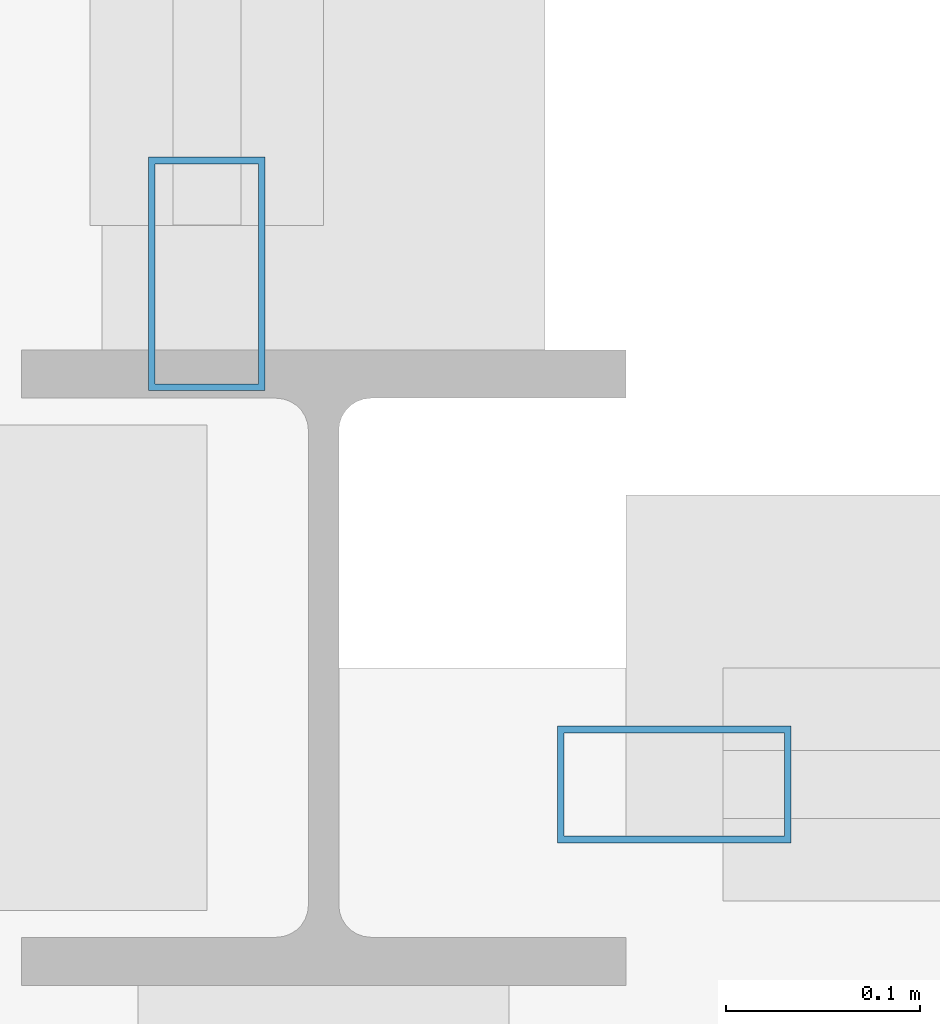
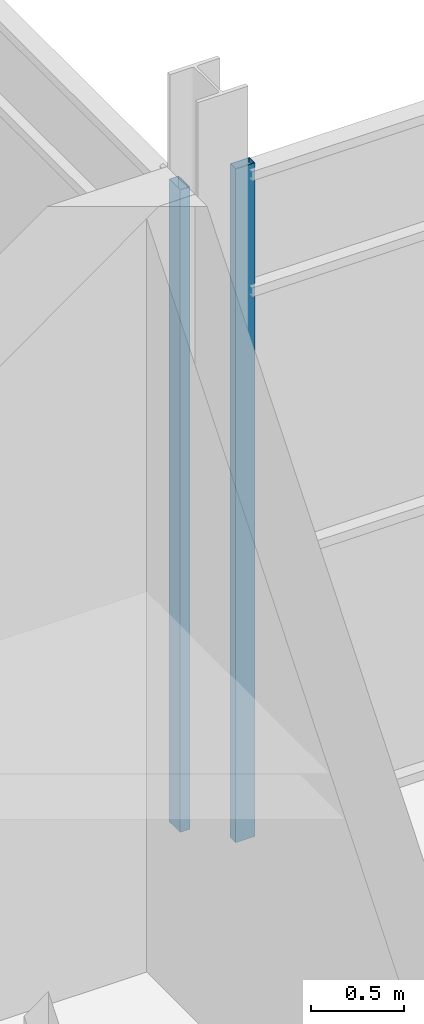
# One storey, part 18 of 112: 2 members, 2 elements without a shape of their own.
"""IFC4 building model written with IfcOpenShell, lengths in metres."""

from ifc_helpers import new_model, si_unit, direction, frame, origin, origin_2d, place, context, subcontext, project, spatial, hollow_rectangle, extrude, material, layer, layer_set, material_profile, profile_set, type_object, element, aggregate, save


model = new_model("IFC4")

# Units and contexts
model_context = context("Model", 3, precision=1e-05, world=origin(), true_north=direction((0.0, 1.0)))
body_context = subcontext(model_context, "Body", "Model", "MODEL_VIEW")
ifc_project = project(units=[si_unit("LENGTHUNIT", "METRE"), si_unit("AREAUNIT", "SQUARE_METRE"), si_unit("VOLUMEUNIT", "CUBIC_METRE"), si_unit("PLANEANGLEUNIT", "RADIAN"), si_unit("MASSUNIT", "GRAM", prefix="KILO")], contexts=[model_context])

# Site, building, storey
site_placement = place(None, origin())
site = spatial("IfcSite", under=ifc_project, at=site_placement, CompositionType="ELEMENT")
building_placement = place(site_placement, origin())
building = spatial("IfcBuilding", under=site, at=building_placement, Name="Shorebreak Coast Museum", CompositionType="ELEMENT")
storey_placement = place(building_placement, frame((0.0, 0.0, 6.0)))
storey = spatial("IfcBuildingStorey", under=building, at=storey_placement, Name="L01", CompositionType="ELEMENT", Elevation=6.0)

# Curtain wall, member
ifc_material_1 = material(Name="Aluminium", Category="aluminium")
ifc_layer = layer(ifc_material_1, 0.1201171875)
ifc_layer_set = layer_set([ifc_layer], Name="Aluminium")
curtain_wall_type = type_object("IfcCurtainWallType", Name="Atrium fire screen", PredefinedType="NOTDEFINED", material=ifc_layer_set)
curtain_wall_1_placement = place(storey_placement, origin())
curtain_wall_1 = element("IfcCurtainWall", 1, at=curtain_wall_1_placement, inside=storey, type_object=curtain_wall_type, Name="Atrium screen L01 S 1", PredefinedType="NOTDEFINED")
ifc_material_2 = material(Name="Aluminium", Category="aluminium")
ifc_material_profile = material_profile(ifc_material_2, hollow_rectangle(XDim=0.06005859375, YDim=0.1201171875, WallThickness=0.00341796875, at=origin_2d()), Name="AL 120x60 RHS")
ifc_profile_set = profile_set([ifc_material_profile], Name="Aluminium")
member_type = type_object("IfcMemberType", Name="Screen mullion 50 x 120", PredefinedType="MULLION", material=ifc_profile_set)
member_1_placement = place(storey_placement, frame((63.180419921875, 62.93994140625, 0.0), z_axis=(0.0, 0.0, 1.0), x_axis=(0.0, 1.0, 0.0)))
member_1 = element("IfcMember", 2, at=member_1_placement, type_object=member_type, Name="CW5 mullion 1", PredefinedType="MULLION", context=body_context, shape_type="SweptSolid", body=[
    extrude(hollow_rectangle(XDim=0.06005859375, YDim=0.1201171875, WallThickness=0.00341796875, at=origin_2d()), origin(), (0.0, 0.0, 1.0), 4.42236328125),
])
aggregate(curtain_wall_1, [member_1])

curtain_wall_2_placement = place(storey_placement, origin())
curtain_wall_2 = element("IfcCurtainWall", 3, at=curtain_wall_2_placement, inside=storey, type_object=curtain_wall_type, Name="Atrium screen L01 W 12", PredefinedType="NOTDEFINED")
member_2_placement = place(storey_placement, frame((62.93994140625, 63.20263671875, 0.0), z_axis=(0.0, 0.0, 1.0), x_axis=(-1.0, 0.0, 0.0)))
member_2 = element("IfcMember", 4, at=member_2_placement, type_object=member_type, Name="CW4 mullion 1", PredefinedType="MULLION", context=body_context, shape_type="SweptSolid", body=[
    extrude(hollow_rectangle(XDim=0.06005859375, YDim=0.1201171875, WallThickness=0.00341796875, at=origin_2d()), origin(), (0.0, 0.0, 1.0), 4.218017578125),
])
aggregate(curtain_wall_2, [member_2])

save(model, "model.ifc")
